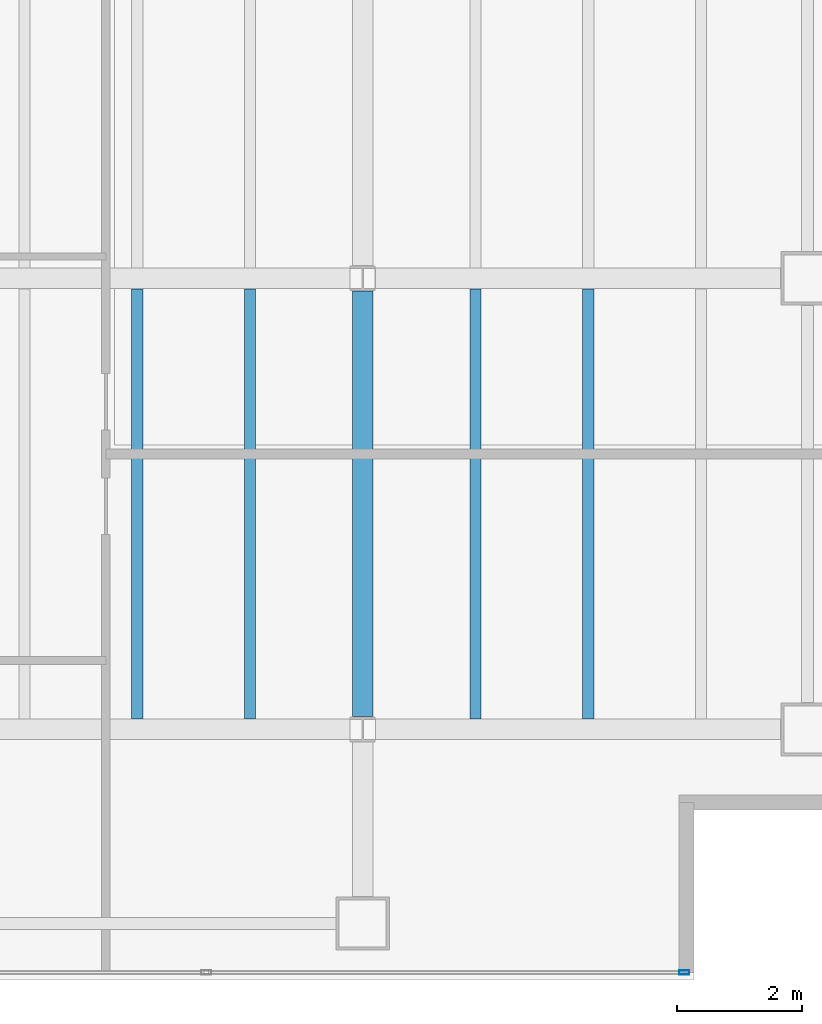
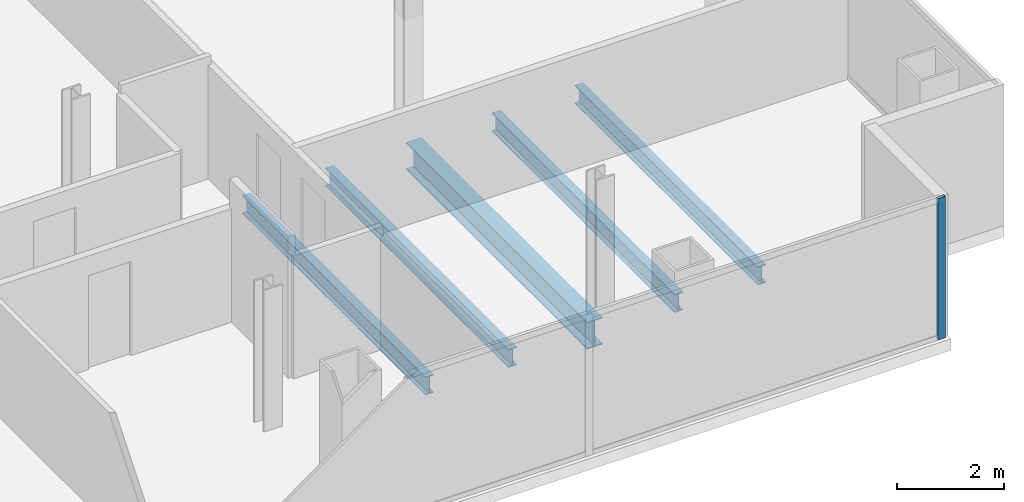
# One storey, part 11 of 23: 5 beams, 1 member, 1 element without a shape of its own.
"""IFC4 building model written with IfcOpenShell, lengths in metres."""

from ifc_helpers import new_model, si_unit, direction, frame, origin, origin_2d, place, context, subcontext, project, spatial, hollow_rectangle, i_section, extrude, material, material_profile, profile_set, type_object, element, aggregate, save


model = new_model("IFC4")

# Units and contexts
model_context = context("Model", 3, precision=1e-05, world=origin(), true_north=direction((0.0, 1.0)))
body_context = subcontext(model_context, "Body", "Model", "MODEL_VIEW")
ifc_project = project(units=[si_unit("LENGTHUNIT", "METRE"), si_unit("AREAUNIT", "SQUARE_METRE"), si_unit("VOLUMEUNIT", "CUBIC_METRE"), si_unit("PLANEANGLEUNIT", "RADIAN"), si_unit("MASSUNIT", "GRAM", prefix="KILO")], contexts=[model_context])

# Site, building, storey
site_placement = place(None, origin())
site = spatial("IfcSite", under=ifc_project, at=site_placement, CompositionType="ELEMENT")
building_placement = place(site_placement, origin())
building = spatial("IfcBuilding", under=site, at=building_placement, Name="Cobrela Telecom Tower", CompositionType="ELEMENT")
storey_placement = place(building_placement, frame((0.0, 0.0, 173.25)))
storey = spatial("IfcBuildingStorey", under=building, at=storey_placement, Name="L43", CompositionType="ELEMENT", Elevation=173.25)

# Beams
ifc_material_1 = material(Name="Steel ASTM A992 Grade 50", Category="steel")
ifc_material_profile_1 = material_profile(ifc_material_1, i_section(OverallWidth=0.327880859375, OverallDepth=0.6220703125, WebThickness=0.015380859375, FlangeThickness=0.0244140625, FilletRadius=0.014892578125, at=origin_2d()), Name="W24X131")
ifc_profile_set_1 = profile_set([ifc_material_profile_1], Name="Steel ASTM A992 Grade 50")
beam_type_1 = type_object("IfcBeamType", Name="BM-GIRD-06", PredefinedType="USERDEFINED", material=ifc_profile_set_1)
beam_placement = place(storey_placement, frame((36.0, 7.404541015625, -0.571044921875), z_axis=(0.0, 1.0, 0.0), x_axis=(-1.0, 0.0, 0.0)))
element("IfcBeam", 1, at=beam_placement, inside=storey, type_object=beam_type_1, Name="L43 Primary Girder Y40", ObjectType="GIRDER", PredefinedType="USERDEFINED", context=body_context, shape_type="SweptSolid", body=[
    extrude(i_section(OverallWidth=0.327880859375, OverallDepth=0.6220703125, WebThickness=0.015380859375, FlangeThickness=0.0244140625, FilletRadius=0.014892578125, at=origin_2d()), origin(), (0.0, 0.0, 1.0), 6.791015625),
])
ifc_material_profile_2 = material_profile(ifc_material_1, i_section(OverallWidth=0.179931640625, OverallDepth=0.4169921875, WebThickness=0.010986328125, FlangeThickness=0.01806640625, FilletRadius=0.011962890625, at=origin_2d()), Name="W16X57")
ifc_profile_set_2 = profile_set([ifc_material_profile_2], Name="Steel ASTM A992 Grade 50")
beam_type_2 = type_object("IfcBeamType", Name="BM-JOIST-04", PredefinedType="JOIST", material=ifc_profile_set_2)
for number, where, z_axis, x_axis, name in (
    (2, (32.39990234375, 7.368896484375, -0.468505859375), (0.0, 1.0, 0.0), (-1.0, 0.0, 0.0), "L43 Secondary Composite Floor Beam J21"),
    (3, (34.199951171875, 7.368896484375, -0.468505859375), (0.0, 1.0, 0.0), (-1.0, 0.0, 0.0), "L43 Secondary Composite Floor Beam J23"),
    (4, (37.800048828125, 7.368896484375, -0.468505859375), (0.0, 1.0, 0.0), (-1.0, 0.0, 0.0), "L43 Secondary Composite Floor Beam J25"),
    (5, (39.60009765625, 7.368896484375, -0.468505859375), (0.0, 1.0, 0.0), (-1.0, 0.0, 0.0), "L43 Secondary Composite Floor Beam J27"),
):
    element("IfcBeam", number, at=place(storey_placement, frame(where, z_axis=z_axis, x_axis=x_axis)), inside=storey, type_object=beam_type_2, Name=name, PredefinedType="JOIST", context=body_context, shape_type="SweptSolid", body=[
        extrude(i_section(OverallWidth=0.179931640625, OverallDepth=0.4169921875, WebThickness=0.010986328125, FlangeThickness=0.01806640625, FilletRadius=0.011962890625, at=origin_2d()), origin(), (0.0, 0.0, 1.0), 6.862060546875),
    ])

# Curtain wall, member
ifc_material_2 = material(Name="Anodized Bronze Aluminium 6063-T6", Category="aluminium")
curtain_wall_type = type_object("IfcCurtainWallType", Name="CW-SYS-OFF-LO", PredefinedType="USERDEFINED", material=ifc_material_2)
curtain_wall_placement = place(storey_placement, origin())
curtain_wall = element("IfcCurtainWall", 6, at=curtain_wall_placement, inside=storey, type_object=curtain_wall_type, Name="L43 Unitised Bronze Curtain Wall 17", ObjectType="UNITISED CURTAIN WALL", PredefinedType="USERDEFINED")
ifc_material_profile_3 = material_profile(ifc_material_2, hollow_rectangle(XDim=0.070068359375, YDim=0.159912109375, WallThickness=0.00390625, at=origin_2d()), Name="ALU 70x160x4")
ifc_profile_set_3 = profile_set([ifc_material_profile_3], Name="Anodized Bronze Aluminium 6063-T6")
member_type = type_object("IfcMemberType", Name="CW-SYS-OFF-LO-MUL", PredefinedType="MULLION", material=ifc_profile_set_3)
member_placement = place(storey_placement, frame((41.135009765625, 3.320068359375, 0.0), z_axis=(0.0, 0.0, 1.0), x_axis=(0.0, -1.0, 0.0)))
member = element("IfcMember", 7, at=member_placement, type_object=member_type, Name="CW-OFF-LO mullion 1", PredefinedType="MULLION", context=body_context, shape_type="SweptSolid", body=[
    extrude(hollow_rectangle(XDim=0.070068359375, YDim=0.159912109375, WallThickness=0.00390625, at=origin_2d()), origin(), (0.0, 0.0, 1.0), 3.239990234375),
])
aggregate(curtain_wall, [member])

save(model, "model.ifc")
